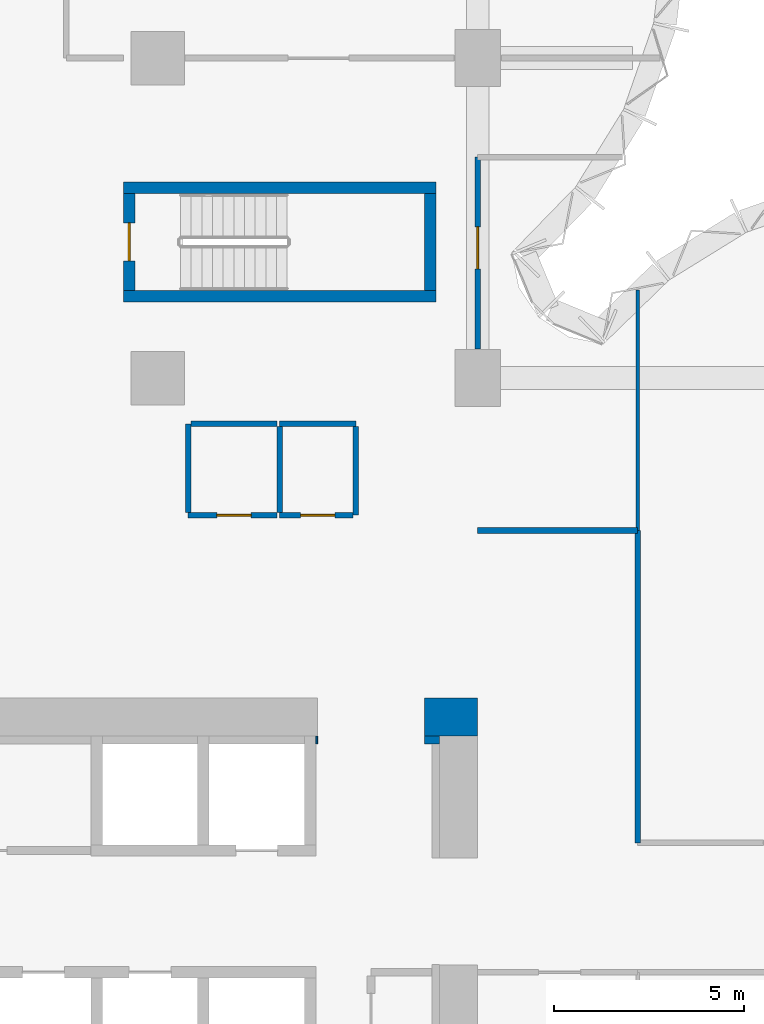
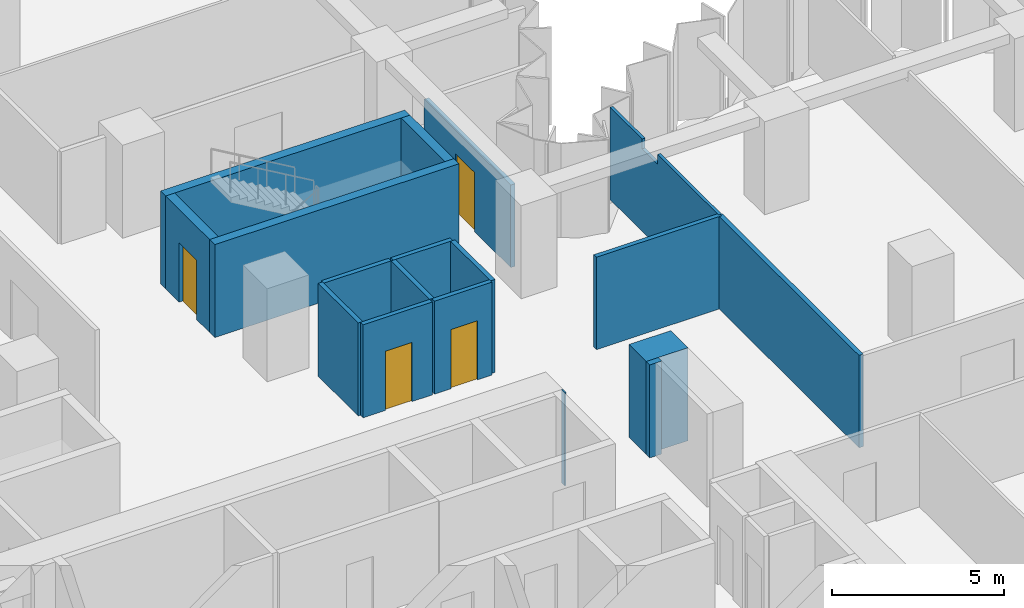
# One storey, part 9 of 15: 18 walls, 4 doors, 4 openings.
"""IFC4 building model written with IfcOpenShell, lengths in metres."""

from ifc_helpers import new_model, si_unit, direction, frame, frame_2d, origin, place, context, subcontext, project, spatial, polyline, rectangle, outline, extrude, material, layer, layer_set, type_object, element, fill, save


model = new_model("IFC4")

# Units and contexts
model_context = context("Model", 3, precision=1e-05, world=origin(), true_north=direction((0.0, 1.0)))
body_context = subcontext(model_context, "Body", "Model", "MODEL_VIEW")
ifc_project = project(units=[si_unit("LENGTHUNIT", "METRE"), si_unit("AREAUNIT", "SQUARE_METRE"), si_unit("VOLUMEUNIT", "CUBIC_METRE"), si_unit("PLANEANGLEUNIT", "RADIAN"), si_unit("MASSUNIT", "GRAM", prefix="KILO")], contexts=[model_context])

# Site, building, storey
site_placement = place(None, origin())
site = spatial("IfcSite", under=ifc_project, at=site_placement, CompositionType="ELEMENT")
building_placement = place(site_placement, origin())
building = spatial("IfcBuilding", under=site, at=building_placement, Name="Brevane Broadcast Tower", CompositionType="ELEMENT")
storey_placement = place(building_placement, frame((0.0, 0.0, 83.300048828125)))
storey = spatial("IfcBuildingStorey", under=building, at=storey_placement, Name="L19", CompositionType="ELEMENT", Elevation=83.300048828125)

# Walls
ifc_material_1 = material(Name="Concrete C32/40", Category="concrete")
ifc_layer_1 = layer(ifc_material_1, 0.199951171875)
ifc_layer_set_1 = layer_set([ifc_layer_1], Name="Core chase wall 200 mm")
wall_type_1 = type_object("IfcWallType", Name="Core chase wall 200 mm", PredefinedType="PARTITIONING", material=ifc_layer_set_1)
wall_1_placement = place(storey_placement, frame((23.800048828125, 15.699951171875, 0.0), z_axis=(0.0, 0.0, 1.0), x_axis=(1.0, 0.0, 0.0)))
element("IfcWall", 1, at=wall_1_placement, inside=storey, type_object=wall_type_1, Name="L19 chase wall LN2", PredefinedType="PARTITIONING", context=body_context, shape_type="SweptSolid", body=[
    extrude(rectangle(XDim=0.39990234375, YDim=0.199951171875, at=frame_2d((0.199951171875, 0.0))), origin(), (0.0, 0.0, 1.0), 3.300048828125),
])
wall_2_placement = place(storey_placement, frame((20.949951171875, 15.699951171875, 0.0), z_axis=(0.0, 0.0, 1.0), x_axis=(1.0, 0.0, 0.0)))
element("IfcWall", 2, at=wall_2_placement, inside=storey, type_object=wall_type_1, Name="L19 chase wall LN1-2-2-2-2", PredefinedType="PARTITIONING", context=body_context, shape_type="SweptSolid", body=[
    extrude(rectangle(XDim=0.050048828125, YDim=0.199951171875, at=frame_2d((0.02490234375, 0.0))), origin(), (0.0, 0.0, 1.0), 3.300048828125),
])
ifc_material_2 = material(Name="Gypsum board on steel studs", Category="steel")
ifc_layer_2 = layer(ifc_material_2, 0.14990234375)
ifc_layer_set_2 = layer_set([ifc_layer_2], Name="Core fire partition 150 mm")
wall_type_2 = type_object("IfcWallType", Name="Core fire partition 150 mm", PredefinedType="PARTITIONING", material=ifc_layer_set_2)
wall_3_placement = place(storey_placement, frame((20.0, 24.0, 0.0), z_axis=(0.0, 0.0, 1.0), x_axis=(1.0, 0.0, 0.0)))
element("IfcWall", 3, at=wall_3_placement, inside=storey, type_object=wall_type_2, Name="L19 partition wall P15", PredefinedType="PARTITIONING", context=body_context, shape_type="SweptSolid", body=[
    extrude(rectangle(XDim=2.0, YDim=0.14990234375, at=frame_2d((1.0, 0.0))), origin(), (0.0, 0.0, 1.0), 3.300048828125),
])
wall_4_placement = place(storey_placement, frame((22.0, 23.925048828125, 0.0), z_axis=(0.0, 0.0, 1.0), x_axis=(0.0, -1.0, 0.0)))
element("IfcWall", 4, at=wall_4_placement, inside=storey, type_object=wall_type_2, Name="L19 partition wall P16", PredefinedType="PARTITIONING", context=body_context, shape_type="SweptSolid", body=[
    extrude(rectangle(XDim=2.324951171875, YDim=0.14990234375, at=frame_2d((1.16259765625, 0.0))), origin(), (0.0, 0.0, 1.0), 3.300048828125),
])

# Wall, opening, door
wall_5_placement = place(storey_placement, frame((21.925048828125, 21.60009765625, 0.0), z_axis=(0.0, 0.0, 1.0), x_axis=(-1.0, 0.0, 0.0)))
wall_5 = element("IfcWall", 5, at=wall_5_placement, inside=storey, type_object=wall_type_2, Name="L19 partition wall P17", PredefinedType="PARTITIONING", context=body_context, shape_type="SweptSolid", body=[
    extrude(rectangle(XDim=1.925048828125, YDim=0.14990234375, at=frame_2d((0.96240234375, 0.0))), origin(), (0.0, 0.0, 1.0), 3.300048828125),
])
opening_1_placement = place(wall_5_placement, frame((0.47509765625, 0.0, 0.0)))
opening_1 = element("IfcOpeningElement", 6, at=opening_1_placement, cuts=wall_5, Name="Opening L19-K24", PredefinedType="OPENING", context=body_context, shape_type="SweptSolid", body=[
    extrude(rectangle(XDim=0.89990234375, YDim=2.10009765625, at=frame_2d((0.449951171875, 1.050048828125))), frame((0.0, 0.0849609375, 0.0), z_axis=(0.0, -1.0, 0.0), x_axis=(1.0, 0.0, 0.0)), (0.0, 0.0, 1.0), 0.169921875),
])
ifc_material_3 = material(Name="Timber", Category="wood")
door_type_1 = type_object("IfcDoorType", Name="Toilet door 900 x 2100", OperationType="SINGLE_SWING_LEFT", PredefinedType="DOOR", material=ifc_material_3)
door_1_placement = place(opening_1_placement, origin())
door_1 = element("IfcDoor", 7, at=door_1_placement, inside=storey, type_object=door_type_1, Name="Door L19-K24", OperationType="SINGLE_SWING_RIGHT", OverallHeight=2.10009765625, OverallWidth=0.89990234375, PredefinedType="DOOR", context=body_context, shape_type="SweptSolid", body=[
    extrude(rectangle(XDim=0.89990234375, YDim=2.10009765625, at=frame_2d((0.449951171875, 1.050048828125))), frame((0.0, 0.02490234375, 0.0), z_axis=(0.0, -1.0, 0.0), x_axis=(1.0, 0.0, 0.0)), (0.0, 0.0, 1.0), 0.050048828125),
])
fill(opening_1, door_1)

# Wall
wall_6_placement = place(storey_placement, frame((20.0, 21.675048828125, 0.0), z_axis=(0.0, 0.0, 1.0), x_axis=(0.0, 1.0, 0.0)))
element("IfcWall", 8, at=wall_6_placement, inside=storey, type_object=wall_type_2, Name="L19 partition wall P18", PredefinedType="PARTITIONING", context=body_context, shape_type="SweptSolid", body=[
    extrude(rectangle(XDim=2.25, YDim=0.14990234375, at=frame_2d((1.125, 0.0))), origin(), (0.0, 0.0, 1.0), 3.300048828125),
])

# Wall, opening, door
wall_7_placement = place(storey_placement, frame((19.925048828125, 21.60009765625, 0.0), z_axis=(0.0, 0.0, 1.0), x_axis=(-1.0, 0.0, 0.0)))
wall_7 = element("IfcWall", 9, at=wall_7_placement, inside=storey, type_object=wall_type_2, Name="L19 partition wall P19", PredefinedType="PARTITIONING", context=body_context, shape_type="SweptSolid", body=[
    extrude(rectangle(XDim=2.324951171875, YDim=0.14990234375, at=frame_2d((1.16259765625, 0.0))), origin(), (0.0, 0.0, 1.0), 3.300048828125),
])
opening_2_placement = place(wall_7_placement, frame((0.675048828125, 0.0, 0.0)))
opening_2 = element("IfcOpeningElement", 10, at=opening_2_placement, cuts=wall_7, Name="Opening L19-K25", PredefinedType="OPENING", context=body_context, shape_type="SweptSolid", body=[
    extrude(rectangle(XDim=0.89990234375, YDim=2.10009765625, at=frame_2d((0.449951171875, 1.050048828125))), frame((0.0, 0.0849609375, 0.0), z_axis=(0.0, -1.0, 0.0), x_axis=(1.0, 0.0, 0.0)), (0.0, 0.0, 1.0), 0.169921875),
])
ifc_material_4 = material(Name="Steel", Category="steel")
door_type_2 = type_object("IfcDoorType", Name="Service room door 900 x 2100", OperationType="SINGLE_SWING_LEFT", PredefinedType="DOOR", material=ifc_material_4)
door_2_placement = place(opening_2_placement, origin())
door_2 = element("IfcDoor", 11, at=door_2_placement, inside=storey, type_object=door_type_2, Name="Door L19-K25", OperationType="SINGLE_SWING_LEFT", OverallHeight=2.10009765625, OverallWidth=0.89990234375, PredefinedType="DOOR", context=body_context, shape_type="SweptSolid", body=[
    extrude(rectangle(XDim=0.89990234375, YDim=2.10009765625, at=frame_2d((0.449951171875, 1.050048828125))), frame((0.0, 0.02490234375, 0.0), z_axis=(0.0, -1.0, 0.0), x_axis=(1.0, 0.0, 0.0)), (0.0, 0.0, 1.0), 0.050048828125),
])
fill(opening_2, door_2)

# Walls
wall_8_placement = place(storey_placement, frame((17.60009765625, 21.675048828125, 0.0), z_axis=(0.0, 0.0, 1.0), x_axis=(0.0, 1.0, 0.0)))
element("IfcWall", 12, at=wall_8_placement, inside=storey, type_object=wall_type_2, Name="L19 partition wall P20", PredefinedType="PARTITIONING", context=body_context, shape_type="SweptSolid", body=[
    extrude(rectangle(XDim=2.324951171875, YDim=0.14990234375, at=frame_2d((1.16259765625, 0.0))), origin(), (0.0, 0.0, 1.0), 3.300048828125),
])
wall_9_placement = place(storey_placement, frame((17.675048828125, 24.0, 0.0), z_axis=(0.0, 0.0, 1.0), x_axis=(1.0, 0.0, 0.0)))
element("IfcWall", 13, at=wall_9_placement, inside=storey, type_object=wall_type_2, Name="L19 partition wall P21", PredefinedType="PARTITIONING", context=body_context, shape_type="SweptSolid", body=[
    extrude(rectangle(XDim=2.25, YDim=0.14990234375, at=frame_2d((1.125, 0.0))), origin(), (0.0, 0.0, 1.0), 3.300048828125),
])
ifc_material_5 = material(Name="Concrete C80/95", Category="concrete")
ifc_layer_3 = layer(ifc_material_5, 1.0)
ifc_layer_set_3 = layer_set([ifc_layer_3], Name="Core wall 1000 mm C80/95")
wall_type_3 = type_object("IfcWallType", Name="Core wall 1000 mm C80/95", PredefinedType="SHEAR", material=ifc_layer_set_3)
wall_10_placement = place(storey_placement, frame((23.800048828125, 16.300048828125, 0.0), z_axis=(0.0, 0.0, 1.0), x_axis=(1.0, 0.0, 0.0)))
element("IfcWall", 14, at=wall_10_placement, inside=storey, type_object=wall_type_3, Name="L19 outer wall WN2", PredefinedType="SHEAR", context=body_context, shape_type="SweptSolid", body=[
    extrude(rectangle(XDim=1.39990234375, YDim=1.0, at=frame_2d((0.699951171875, 0.0))), origin(), (0.0, 0.0, 1.0), 3.300048828125),
])
ifc_layer_4 = layer(ifc_material_5, 0.300048828125)
ifc_layer_set_4 = layer_set([ifc_layer_4], Name="Core wall 300 mm C80/95")
wall_type_4 = type_object("IfcWallType", Name="Core wall 300 mm C80/95", PredefinedType="SHEAR", material=ifc_layer_set_4)
for number, where, z_axis, x_axis, name in (
    (15, (15.89990234375, 27.35009765625, 0.0), (0.0, 0.0, 1.0), (1.0, 0.0, 0.0), "L19 stair wall ST-3-S"),
    (16, (15.89990234375, 30.199951171875, 0.0), (0.0, 0.0, 1.0), (1.0, 0.0, 0.0), "L19 stair wall ST-3-N"),
):
    element("IfcWall", number, at=place(storey_placement, frame(where, z_axis=z_axis, x_axis=x_axis)), inside=storey, type_object=wall_type_4, Name=name, PredefinedType="SHEAR", context=body_context, shape_type="SweptSolid", body=[
        extrude(rectangle(XDim=8.2001953125, YDim=0.300048828125, at=frame_2d((4.10009765625, 0.0))), origin(), (0.0, 0.0, 1.0), 3.300048828125),
    ])

# Wall, opening, door
wall_11_placement = place(storey_placement, frame((16.050048828125, 27.5, 0.0), z_axis=(0.0, 0.0, 1.0), x_axis=(0.0, 1.0, 0.0)))
wall_11 = element("IfcWall", 17, at=wall_11_placement, inside=storey, type_object=wall_type_4, Name="L19 stair wall ST-3-W", PredefinedType="SHEAR", context=body_context, shape_type="SweptSolid", body=[
    extrude(rectangle(XDim=2.550048828125, YDim=0.300048828125, at=frame_2d((1.27490234375, 0.0))), origin(), (0.0, 0.0, 1.0), 3.300048828125),
])
opening_3_placement = place(wall_11_placement, frame((0.77490234375, 0.0, 0.0)))
opening_3 = element("IfcOpeningElement", 18, at=opening_3_placement, cuts=wall_11, Name="Opening L19-K14", PredefinedType="OPENING", context=body_context, shape_type="SweptSolid", body=[
    extrude(rectangle(XDim=1.0, YDim=2.10009765625, at=frame_2d((0.5, 1.050048828125))), frame((0.0, 0.159912109375, 0.0), z_axis=(0.0, -1.0, 0.0), x_axis=(1.0, 0.0, 0.0)), (0.0, 0.0, 1.0), 0.320068359375),
])
door_type_3 = type_object("IfcDoorType", Name="Stair door 1000 x 2100", OperationType="SINGLE_SWING_LEFT", PredefinedType="DOOR", material=ifc_material_4)
door_3_placement = place(opening_3_placement, origin())
door_3 = element("IfcDoor", 19, at=door_3_placement, inside=storey, type_object=door_type_3, Name="Door L19-K14", OperationType="SINGLE_SWING_RIGHT", OverallHeight=2.10009765625, OverallWidth=1.0, PredefinedType="DOOR", context=body_context, shape_type="SweptSolid", body=[
    extrude(rectangle(XDim=1.0, YDim=2.10009765625, at=frame_2d((0.5, 1.050048828125))), frame((0.0, 0.02490234375, 0.0), z_axis=(0.0, -1.0, 0.0), x_axis=(1.0, 0.0, 0.0)), (0.0, 0.0, 1.0), 0.050048828125),
])
fill(opening_3, door_3)

# Walls
wall_12_placement = place(storey_placement, frame((23.949951171875, 27.5, 0.0), z_axis=(0.0, 0.0, 1.0), x_axis=(0.0, 1.0, 0.0)))
element("IfcWall", 20, at=wall_12_placement, inside=storey, type_object=wall_type_4, Name="L19 stair wall ST-3-E", PredefinedType="SHEAR", context=body_context, shape_type="SweptSolid", body=[
    extrude(rectangle(XDim=2.550048828125, YDim=0.300048828125, at=frame_2d((1.27490234375, 0.0))), origin(), (0.0, 0.0, 1.0), 3.300048828125),
])
ifc_material_6 = material(Name="Gypsum board partition")
ifc_layer_5 = layer(ifc_material_6, 0.10009765625)
ifc_layer_set_5 = layer_set([ifc_layer_5], Name="PARTITION 100 STUD")
wall_type_5 = type_object("IfcWallType", Name="PARTITION 100 STUD", PredefinedType="PARTITIONING", material=ifc_layer_set_5)
wall_13_placement = place(storey_placement, frame((29.39990234375, 27.510986328125, 0.0), z_axis=(0.0, 0.0, 1.0), x_axis=(0.0, -1.0, 0.0)))
element("IfcWall", 21, at=wall_13_placement, inside=storey, type_object=wall_type_5, Name="Partition G05-004", PredefinedType="PARTITIONING", context=body_context, shape_type="SweptSolid", body=[
    extrude(outline(polyline([(0.0, 0.0), (6.31103515625, 0.0), (6.31103515625, 3.280029296875), (2.760986328125, 3.280029296875), (2.759033203125, 2.929931640625), (1.863037109375, 2.929931640625), (1.861083984375, 3.280029296875), (0.236083984375, 3.280029296875), (0.0, 3.280029296875), (0.0, 0.0)])), frame((0.0, 0.050048828125, 0.0), z_axis=(0.0, -1.0, 0.0), x_axis=(1.0, 0.0, 0.0)), (0.0, 0.0, 1.0), 0.10009765625),
])
ifc_layer_6 = layer(ifc_material_6, 0.14990234375)
ifc_layer_set_6 = layer_set([ifc_layer_6], Name="PARTITION 150 EI 60")
wall_type_6 = type_object("IfcWallType", Name="PARTITION 150 EI 60", PredefinedType="PARTITIONING", material=ifc_layer_set_6)
wall_14_placement = place(storey_placement, frame((25.199951171875, 21.199951171875, 0.0), z_axis=(0.0, 0.0, 1.0), x_axis=(1.0, 0.0, 0.0)))
element("IfcWall", 22, at=wall_14_placement, inside=storey, type_object=wall_type_6, Name="Partition G05-001", PredefinedType="PARTITIONING", context=body_context, shape_type="SweptSolid", body=[
    extrude(rectangle(XDim=4.199951171875, YDim=0.14990234375, at=frame_2d((2.10009765625, 0.0))), origin(), (0.0, 0.0, 1.0), 3.280029296875),
])
wall_15_placement = place(storey_placement, frame((29.39990234375, 21.199951171875, 0.0), z_axis=(0.0, 0.0, 1.0), x_axis=(0.0, -1.0, 0.0)))
element("IfcWall", 23, at=wall_15_placement, inside=storey, type_object=wall_type_6, Name="Partition G05-003", PredefinedType="PARTITIONING", context=body_context, shape_type="SweptSolid", body=[
    extrude(rectangle(XDim=8.199951171875, YDim=0.14990234375, at=frame_2d((4.10009765625, 0.0))), origin(), (0.0, 0.0, 1.0), 3.280029296875),
])

# Wall, opening, door
wall_16_placement = place(storey_placement, frame((25.199951171875, 31.0, 0.0), z_axis=(0.0, 0.0, 1.0), x_axis=(0.0, -1.0, 0.0)))
wall_16 = element("IfcWall", 24, at=wall_16_placement, inside=storey, type_object=wall_type_6, Name="Partition G05-005", PredefinedType="PARTITIONING", context=body_context, shape_type="SweptSolid", body=[
    extrude(outline(polyline([(0.0, 0.0), (5.030029296875, 0.0), (5.030029296875, 2.929931640625), (0.0, 2.929931640625), (0.0, 0.0)])), frame((0.0, 0.074951171875, 0.0), z_axis=(0.0, -1.0, 0.0), x_axis=(1.0, 0.0, 0.0)), (0.0, 0.0, 1.0), 0.14990234375),
])
opening_4_placement = place(wall_16_placement, frame((1.830078125, 0.0, 0.0)))
opening_4 = element("IfcOpeningElement", 25, at=opening_4_placement, cuts=wall_16, Name="Opening D11-001", PredefinedType="OPENING", context=body_context, shape_type="SweptSolid", body=[
    extrude(rectangle(XDim=1.10009765625, YDim=2.10009765625, at=frame_2d((0.550048828125, 1.050048828125))), frame((0.0, 0.0849609375, 0.0), z_axis=(0.0, -1.0, 0.0), x_axis=(1.0, 0.0, 0.0)), (0.0, 0.0, 1.0), 0.169921875),
])
ifc_material_7 = material(Name="Fire-rated timber door leaf", Category="wood")
door_type_4 = type_object("IfcDoorType", Name="DOOR SINGLE 1100 FD30S", OperationType="SINGLE_SWING_LEFT", PredefinedType="DOOR", material=ifc_material_7)
door_4_placement = place(opening_4_placement, origin())
door_4 = element("IfcDoor", 26, at=door_4_placement, inside=storey, type_object=door_type_4, Name="Door D11-001", OperationType="SINGLE_SWING_RIGHT", OverallHeight=2.10009765625, OverallWidth=1.10009765625, PredefinedType="DOOR", context=body_context, shape_type="SweptSolid", body=[
    extrude(rectangle(XDim=1.10009765625, YDim=2.10009765625, at=frame_2d((0.550048828125, 1.050048828125))), frame((0.0, 0.02490234375, 0.0), z_axis=(0.0, -1.0, 0.0), x_axis=(1.0, 0.0, 0.0)), (0.0, 0.0, 1.0), 0.050048828125),
])
fill(opening_4, door_4)

save(model, "model.ifc")
